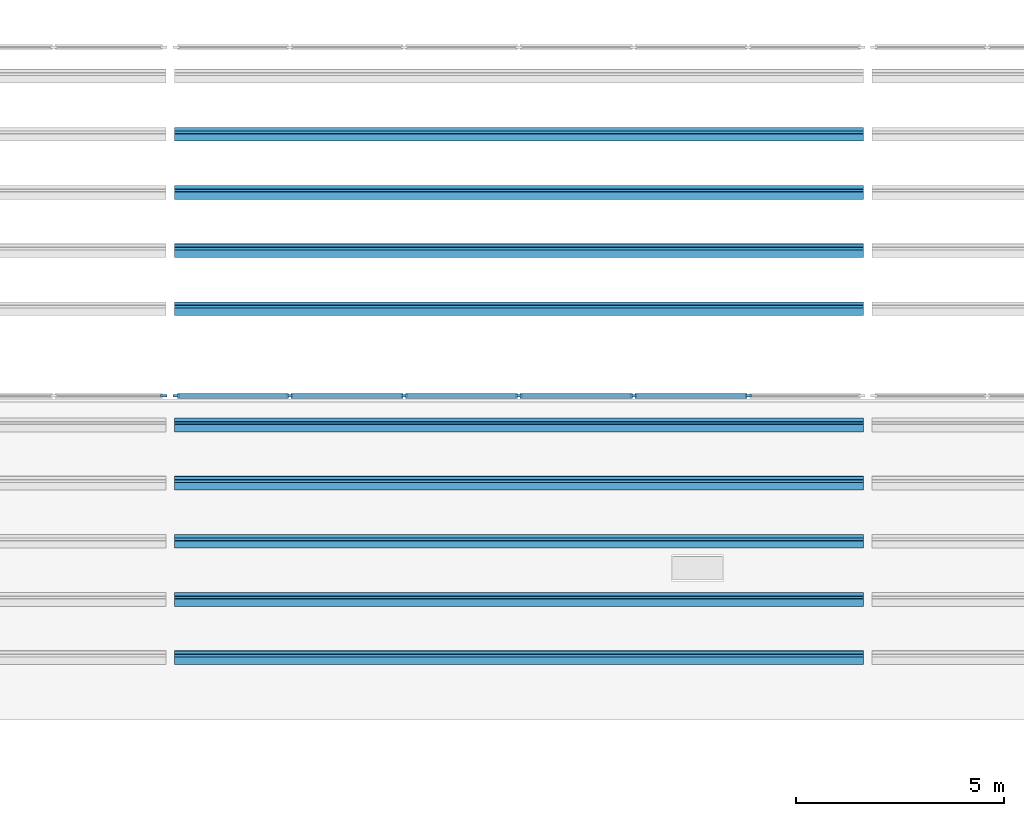
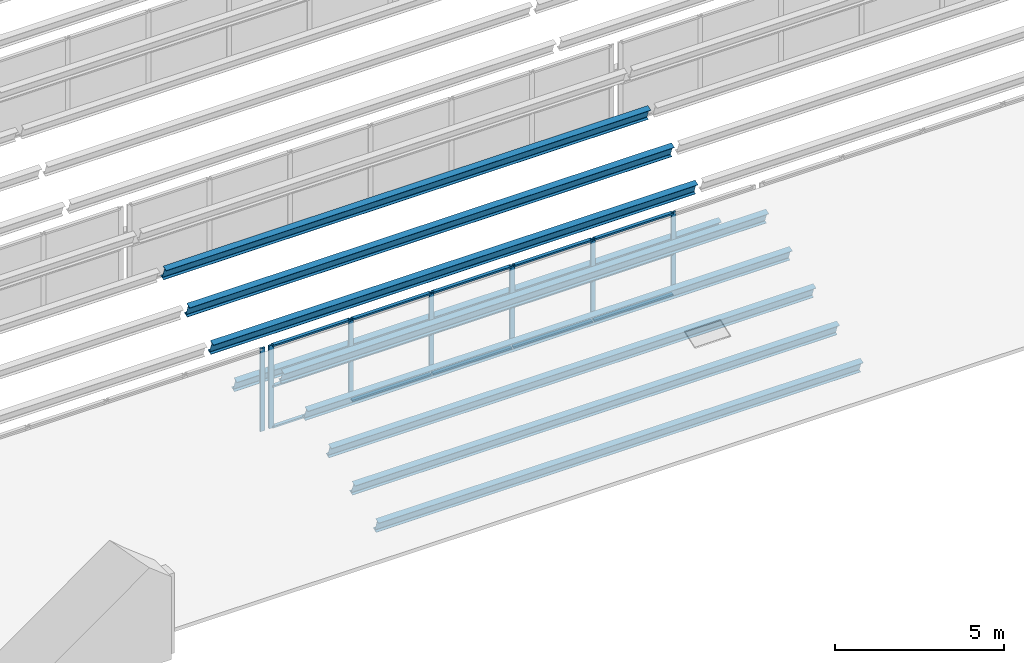
# One storey, part 7 of 116: 31 members, 2 elements without a shape of their own.
"""IFC4 building model written with IfcOpenShell, lengths in metres."""

from ifc_helpers import new_model, si_unit, direction, frame, origin, origin_2d, place, context, subcontext, project, spatial, rectangle, i_section, extrude, material, material_profile, profile_set, type_object, element, aggregate, save


model = new_model("IFC4")

# Units and contexts
model_context = context("Model", 3, precision=1e-05, world=origin(), true_north=direction((0.0, 1.0)))
body_context = subcontext(model_context, "Body", "Model", "MODEL_VIEW")
ifc_project = project(units=[si_unit("LENGTHUNIT", "METRE"), si_unit("AREAUNIT", "SQUARE_METRE"), si_unit("VOLUMEUNIT", "CUBIC_METRE"), si_unit("PLANEANGLEUNIT", "RADIAN"), si_unit("MASSUNIT", "GRAM", prefix="KILO")], contexts=[model_context])

# Site, building, storey
site_placement = place(None, origin())
site = spatial("IfcSite", under=ifc_project, at=site_placement, CompositionType="ELEMENT")
building_placement = place(site_placement, origin())
building = spatial("IfcBuilding", under=site, at=building_placement, Name="Fescue Hill Polytechnic", CompositionType="ELEMENT")
storey_placement = place(building_placement, frame((0.0, 0.0, 13.5)))
storey = spatial("IfcBuildingStorey", under=building, at=storey_placement, Name="L03", CompositionType="ELEMENT", Elevation=13.5)

# Curtain wall, member
ifc_material_1 = material(Name="Aluminium and glass", Category="aluminium")
curtain_wall_type = type_object("IfcCurtainWallType", Name="Sawtooth north glazing curtain wall", PredefinedType="NOTDEFINED", material=ifc_material_1)
curtain_wall_1_placement = place(storey_placement, origin())
curtain_wall_1 = element("IfcCurtainWall", 1, at=curtain_wall_1_placement, inside=storey, type_object=curtain_wall_type, Name="Sawtooth 1 north glazing bay 1", PredefinedType="NOTDEFINED")
ifc_material_2 = material(Name="Aluminium", Category="aluminium")
ifc_material_profile_1 = material_profile(ifc_material_2, rectangle(XDim=0.06005859375, YDim=0.159912109375, at=origin_2d()), Name="Curtain wall mullion 60x160")
ifc_profile_set_1 = profile_set([ifc_material_profile_1], Name="Aluminium")
member_type_1 = type_object("IfcMemberType", Name="Curtain wall mullion 60x160", PredefinedType="MULLION", material=ifc_profile_set_1)
member_1_placement = place(storey_placement, frame((16.64990234375, 25.199951171875, 0.0), z_axis=(0.0, 0.0, 1.0), x_axis=(0.0, 1.0, 0.0)))
member_1 = element("IfcMember", 2, at=member_1_placement, type_object=member_type_1, Name="CW1 mullion 7", PredefinedType="MULLION", context=body_context, shape_type="SweptSolid", body=[
    extrude(rectangle(XDim=0.06005859375, YDim=0.159912109375, at=origin_2d()), origin(), (0.0, 0.0, 1.0), 3.0),
])
aggregate(curtain_wall_1, [member_1])

# Curtain wall, members
curtain_wall_2_placement = place(storey_placement, origin())
curtain_wall_2 = element("IfcCurtainWall", 3, at=curtain_wall_2_placement, inside=storey, type_object=curtain_wall_type, Name="Sawtooth 1 north glazing bay 2", PredefinedType="NOTDEFINED")
member_2_placement = place(storey_placement, frame((16.949951171875, 25.199951171875, 0.0), z_axis=(0.0, 0.0, 1.0), x_axis=(0.0, 1.0, 0.0)))
member_2 = element("IfcMember", 4, at=member_2_placement, type_object=member_type_1, Name="CW2 mullion 1", PredefinedType="MULLION", context=body_context, shape_type="SweptSolid", body=[
    extrude(rectangle(XDim=0.06005859375, YDim=0.159912109375, at=origin_2d()), origin(), (0.0, 0.0, 1.0), 3.0),
])
member_3_placement = place(storey_placement, frame((19.679931640625, 25.199951171875, 0.0), z_axis=(0.0, 0.0, 1.0), x_axis=(0.0, 1.0, 0.0)))
member_3 = element("IfcMember", 5, at=member_3_placement, type_object=member_type_1, Name="CW2 mullion 2", PredefinedType="MULLION", context=body_context, shape_type="SweptSolid", body=[
    extrude(rectangle(XDim=0.06005859375, YDim=0.159912109375, at=origin_2d()), origin(), (0.0, 0.0, 1.0), 3.0),
])
member_4_placement = place(storey_placement, frame((22.43994140625, 25.199951171875, 0.0), z_axis=(0.0, 0.0, 1.0), x_axis=(0.0, 1.0, 0.0)))
member_4 = element("IfcMember", 6, at=member_4_placement, type_object=member_type_1, Name="CW2 mullion 3", PredefinedType="MULLION", context=body_context, shape_type="SweptSolid", body=[
    extrude(rectangle(XDim=0.06005859375, YDim=0.159912109375, at=origin_2d()), origin(), (0.0, 0.0, 1.0), 3.0),
])
member_5_placement = place(storey_placement, frame((25.199951171875, 25.199951171875, 0.0), z_axis=(0.0, 0.0, 1.0), x_axis=(0.0, 1.0, 0.0)))
member_5 = element("IfcMember", 7, at=member_5_placement, type_object=member_type_1, Name="CW2 mullion 4", PredefinedType="MULLION", context=body_context, shape_type="SweptSolid", body=[
    extrude(rectangle(XDim=0.06005859375, YDim=0.159912109375, at=origin_2d()), origin(), (0.0, 0.0, 1.0), 3.0),
])
member_6_placement = place(storey_placement, frame((27.9599609375, 25.199951171875, 0.0), z_axis=(0.0, 0.0, 1.0), x_axis=(0.0, 1.0, 0.0)))
member_6 = element("IfcMember", 8, at=member_6_placement, type_object=member_type_1, Name="CW2 mullion 5", PredefinedType="MULLION", context=body_context, shape_type="SweptSolid", body=[
    extrude(rectangle(XDim=0.06005859375, YDim=0.159912109375, at=origin_2d()), origin(), (0.0, 0.0, 1.0), 3.0),
])
member_7_placement = place(storey_placement, frame((30.719970703125, 25.199951171875, 0.0), z_axis=(0.0, 0.0, 1.0), x_axis=(0.0, 1.0, 0.0)))
member_7 = element("IfcMember", 9, at=member_7_placement, type_object=member_type_1, Name="CW2 mullion 6", PredefinedType="MULLION", context=body_context, shape_type="SweptSolid", body=[
    extrude(rectangle(XDim=0.06005859375, YDim=0.159912109375, at=origin_2d()), origin(), (0.0, 0.0, 1.0), 3.0),
])
ifc_material_profile_2 = material_profile(ifc_material_2, rectangle(XDim=0.1201171875, YDim=0.06005859375, at=origin_2d()), Name="Curtain wall transom 60x120")
ifc_profile_set_2 = profile_set([ifc_material_profile_2], Name="Aluminium")
member_type_2 = type_object("IfcMemberType", Name="Curtain wall transom 60x120", PredefinedType="USERDEFINED", material=ifc_profile_set_2)
member_8_placement = place(storey_placement, frame((16.97998046875, 25.199951171875, 0.030029296875), z_axis=(1.0, 0.0, 0.0), x_axis=(0.0, 1.0, 0.0)))
member_8 = element("IfcMember", 10, at=member_8_placement, type_object=member_type_2, Name="CW2 transom 1.1", ObjectType="TRANSOM", PredefinedType="USERDEFINED", context=body_context, shape_type="SweptSolid", body=[
    extrude(rectangle(XDim=0.1201171875, YDim=0.06005859375, at=origin_2d()), origin(), (0.0, 0.0, 1.0), 2.669921875),
])
member_9_placement = place(storey_placement, frame((16.97998046875, 25.199951171875, 1.5), z_axis=(1.0, 0.0, 0.0), x_axis=(0.0, 1.0, 0.0)))
member_9 = element("IfcMember", 11, at=member_9_placement, type_object=member_type_2, Name="CW2 transom 1.2", ObjectType="TRANSOM", PredefinedType="USERDEFINED", context=body_context, shape_type="SweptSolid", body=[
    extrude(rectangle(XDim=0.1201171875, YDim=0.06005859375, at=origin_2d()), origin(), (0.0, 0.0, 1.0), 2.669921875),
])
member_10_placement = place(storey_placement, frame((16.97998046875, 25.199951171875, 2.969970703125), z_axis=(1.0, 0.0, 0.0), x_axis=(0.0, 1.0, 0.0)))
member_10 = element("IfcMember", 12, at=member_10_placement, type_object=member_type_2, Name="CW2 transom 1.3", ObjectType="TRANSOM", PredefinedType="USERDEFINED", context=body_context, shape_type="SweptSolid", body=[
    extrude(rectangle(XDim=0.1201171875, YDim=0.06005859375, at=origin_2d()), origin(), (0.0, 0.0, 1.0), 2.669921875),
])
member_11_placement = place(storey_placement, frame((19.7099609375, 25.199951171875, 0.030029296875), z_axis=(1.0, 0.0, 0.0), x_axis=(0.0, 1.0, 0.0)))
member_11 = element("IfcMember", 13, at=member_11_placement, type_object=member_type_2, Name="CW2 transom 2.1", ObjectType="TRANSOM", PredefinedType="USERDEFINED", context=body_context, shape_type="SweptSolid", body=[
    extrude(rectangle(XDim=0.1201171875, YDim=0.06005859375, at=origin_2d()), origin(), (0.0, 0.0, 1.0), 2.699951171875),
])
member_12_placement = place(storey_placement, frame((19.7099609375, 25.199951171875, 1.5), z_axis=(1.0, 0.0, 0.0), x_axis=(0.0, 1.0, 0.0)))
member_12 = element("IfcMember", 14, at=member_12_placement, type_object=member_type_2, Name="CW2 transom 2.2", ObjectType="TRANSOM", PredefinedType="USERDEFINED", context=body_context, shape_type="SweptSolid", body=[
    extrude(rectangle(XDim=0.1201171875, YDim=0.06005859375, at=origin_2d()), origin(), (0.0, 0.0, 1.0), 2.699951171875),
])
member_13_placement = place(storey_placement, frame((19.7099609375, 25.199951171875, 2.969970703125), z_axis=(1.0, 0.0, 0.0), x_axis=(0.0, 1.0, 0.0)))
member_13 = element("IfcMember", 15, at=member_13_placement, type_object=member_type_2, Name="CW2 transom 2.3", ObjectType="TRANSOM", PredefinedType="USERDEFINED", context=body_context, shape_type="SweptSolid", body=[
    extrude(rectangle(XDim=0.1201171875, YDim=0.06005859375, at=origin_2d()), origin(), (0.0, 0.0, 1.0), 2.699951171875),
])
member_14_placement = place(storey_placement, frame((22.469970703125, 25.199951171875, 0.030029296875), z_axis=(1.0, 0.0, 0.0), x_axis=(0.0, 1.0, 0.0)))
member_14 = element("IfcMember", 16, at=member_14_placement, type_object=member_type_2, Name="CW2 transom 3.1", ObjectType="TRANSOM", PredefinedType="USERDEFINED", context=body_context, shape_type="SweptSolid", body=[
    extrude(rectangle(XDim=0.1201171875, YDim=0.06005859375, at=origin_2d()), origin(), (0.0, 0.0, 1.0), 2.699951171875),
])
member_15_placement = place(storey_placement, frame((22.469970703125, 25.199951171875, 1.5), z_axis=(1.0, 0.0, 0.0), x_axis=(0.0, 1.0, 0.0)))
member_15 = element("IfcMember", 17, at=member_15_placement, type_object=member_type_2, Name="CW2 transom 3.2", ObjectType="TRANSOM", PredefinedType="USERDEFINED", context=body_context, shape_type="SweptSolid", body=[
    extrude(rectangle(XDim=0.1201171875, YDim=0.06005859375, at=origin_2d()), origin(), (0.0, 0.0, 1.0), 2.699951171875),
])
member_16_placement = place(storey_placement, frame((22.469970703125, 25.199951171875, 2.969970703125), z_axis=(1.0, 0.0, 0.0), x_axis=(0.0, 1.0, 0.0)))
member_16 = element("IfcMember", 18, at=member_16_placement, type_object=member_type_2, Name="CW2 transom 3.3", ObjectType="TRANSOM", PredefinedType="USERDEFINED", context=body_context, shape_type="SweptSolid", body=[
    extrude(rectangle(XDim=0.1201171875, YDim=0.06005859375, at=origin_2d()), origin(), (0.0, 0.0, 1.0), 2.699951171875),
])
member_17_placement = place(storey_placement, frame((25.22998046875, 25.199951171875, 0.030029296875), z_axis=(1.0, 0.0, 0.0), x_axis=(0.0, 1.0, 0.0)))
member_17 = element("IfcMember", 19, at=member_17_placement, type_object=member_type_2, Name="CW2 transom 4.1", ObjectType="TRANSOM", PredefinedType="USERDEFINED", context=body_context, shape_type="SweptSolid", body=[
    extrude(rectangle(XDim=0.1201171875, YDim=0.06005859375, at=origin_2d()), origin(), (0.0, 0.0, 1.0), 2.699951171875),
])
member_18_placement = place(storey_placement, frame((25.22998046875, 25.199951171875, 1.5), z_axis=(1.0, 0.0, 0.0), x_axis=(0.0, 1.0, 0.0)))
member_18 = element("IfcMember", 20, at=member_18_placement, type_object=member_type_2, Name="CW2 transom 4.2", ObjectType="TRANSOM", PredefinedType="USERDEFINED", context=body_context, shape_type="SweptSolid", body=[
    extrude(rectangle(XDim=0.1201171875, YDim=0.06005859375, at=origin_2d()), origin(), (0.0, 0.0, 1.0), 2.699951171875),
])
member_19_placement = place(storey_placement, frame((25.22998046875, 25.199951171875, 2.969970703125), z_axis=(1.0, 0.0, 0.0), x_axis=(0.0, 1.0, 0.0)))
member_19 = element("IfcMember", 21, at=member_19_placement, type_object=member_type_2, Name="CW2 transom 4.3", ObjectType="TRANSOM", PredefinedType="USERDEFINED", context=body_context, shape_type="SweptSolid", body=[
    extrude(rectangle(XDim=0.1201171875, YDim=0.06005859375, at=origin_2d()), origin(), (0.0, 0.0, 1.0), 2.699951171875),
])
member_20_placement = place(storey_placement, frame((27.989990234375, 25.199951171875, 0.030029296875), z_axis=(1.0, 0.0, 0.0), x_axis=(0.0, 1.0, 0.0)))
member_20 = element("IfcMember", 22, at=member_20_placement, type_object=member_type_2, Name="CW2 transom 5.1", ObjectType="TRANSOM", PredefinedType="USERDEFINED", context=body_context, shape_type="SweptSolid", body=[
    extrude(rectangle(XDim=0.1201171875, YDim=0.06005859375, at=origin_2d()), origin(), (0.0, 0.0, 1.0), 2.699951171875),
])
member_21_placement = place(storey_placement, frame((27.989990234375, 25.199951171875, 1.5), z_axis=(1.0, 0.0, 0.0), x_axis=(0.0, 1.0, 0.0)))
member_21 = element("IfcMember", 23, at=member_21_placement, type_object=member_type_2, Name="CW2 transom 5.2", ObjectType="TRANSOM", PredefinedType="USERDEFINED", context=body_context, shape_type="SweptSolid", body=[
    extrude(rectangle(XDim=0.1201171875, YDim=0.06005859375, at=origin_2d()), origin(), (0.0, 0.0, 1.0), 2.699951171875),
])
member_22_placement = place(storey_placement, frame((27.989990234375, 25.199951171875, 2.969970703125), z_axis=(1.0, 0.0, 0.0), x_axis=(0.0, 1.0, 0.0)))
member_22 = element("IfcMember", 24, at=member_22_placement, type_object=member_type_2, Name="CW2 transom 5.3", ObjectType="TRANSOM", PredefinedType="USERDEFINED", context=body_context, shape_type="SweptSolid", body=[
    extrude(rectangle(XDim=0.1201171875, YDim=0.06005859375, at=origin_2d()), origin(), (0.0, 0.0, 1.0), 2.699951171875),
])
aggregate(curtain_wall_2, [member_2, member_3, member_4, member_5, member_6, member_7, member_8, member_9, member_10, member_11, member_12, member_13, member_14, member_15, member_16, member_17, member_18, member_19, member_20, member_21, member_22])

# Members
ifc_material_3 = material(Name="Steel 350W (350 MPa)", Category="steel")
ifc_material_profile_3 = material_profile(ifc_material_3, i_section(OverallWidth=0.18994140625, OverallDepth=0.45703125, WebThickness=0.009033203125, FlangeThickness=0.014404296875, FilletRadius=0.0166015625, at=origin_2d()), Name="W460x74")
ifc_profile_set_3 = profile_set([ifc_material_profile_3], Name="Steel 350W (350 MPa)")
member_type_3 = type_object("IfcMemberType", Name="Tooth purlin W460x74", PredefinedType="PURLIN", material=ifc_profile_set_3)
for number, where, z_axis, x_axis, name in (
    (25, (16.904541015625, 18.89990234375, 0.294921875), (1.0, 0.0, 0.0), (0.0, 0.941741911595, 0.336336396997), "Tooth 1 purlin 2 bay 2"),
    (26, (16.904541015625, 20.300048828125, 0.794921875), (1.0, 0.0, 0.0), (0.0, 0.941741911595, 0.336336396997), "Tooth 1 purlin 3 bay 2"),
    (27, (16.904541015625, 21.699951171875, 1.294921875), (1.0, 0.0, 0.0), (0.0, 0.941741911595, 0.336336396997), "Tooth 1 purlin 4 bay 2"),
    (28, (16.904541015625, 23.10009765625, 1.794921875), (1.0, 0.0, 0.0), (0.0, 0.941741911595, 0.336336396997), "Tooth 1 purlin 5 bay 2"),
    (29, (16.904541015625, 27.300048828125, 0.294921875), (1.0, 0.0, 0.0), (0.0, 0.941741911595, 0.336336396997), "Tooth 2 purlin 2 bay 2"),
    (30, (16.904541015625, 28.699951171875, 0.794921875), (1.0, 0.0, 0.0), (0.0, 0.941741911595, 0.336336396997), "Tooth 2 purlin 3 bay 2"),
    (31, (16.904541015625, 30.10009765625, 1.294921875), (1.0, 0.0, 0.0), (0.0, 0.941741911595, 0.336336396997), "Tooth 2 purlin 4 bay 2"),
    (32, (16.904541015625, 31.5, 1.794921875), (1.0, 0.0, 0.0), (0.0, 0.941741911595, 0.336336396997), "Tooth 2 purlin 5 bay 2"),
):
    element("IfcMember", number, at=place(storey_placement, frame(where, z_axis=z_axis, x_axis=x_axis)), inside=storey, type_object=member_type_3, Name=name, PredefinedType="PURLIN", context=body_context, shape_type="SweptSolid", body=[
        extrude(i_section(OverallWidth=0.18994140625, OverallDepth=0.45703125, WebThickness=0.009033203125, FlangeThickness=0.014404296875, FilletRadius=0.0166015625, at=origin_2d()), origin(), (0.0, 0.0, 1.0), 16.591064453125),
    ])
ifc_material_profile_4 = material_profile(ifc_material_3, i_section(OverallWidth=0.193115234375, OverallDepth=0.466064453125, WebThickness=0.011474609375, FlangeThickness=0.01904296875, FilletRadius=0.01708984375, at=origin_2d()), Name="W460x97")
ifc_profile_set_4 = profile_set([ifc_material_profile_4], Name="Steel 350W (350 MPa)")
member_type_4 = type_object("IfcMemberType", Name="Tooth ridge purlin W460x97", PredefinedType="PURLIN", material=ifc_profile_set_4)
member_23_placement = place(storey_placement, frame((16.904541015625, 24.5, 2.290283203125), z_axis=(1.0, 0.0, 0.0), x_axis=(0.0, 0.941741911595, 0.336336396997)))
element("IfcMember", 33, at=member_23_placement, inside=storey, type_object=member_type_4, Name="Tooth 1 ridge purlin bay 2", PredefinedType="PURLIN", context=body_context, shape_type="SweptSolid", body=[
    extrude(i_section(OverallWidth=0.193115234375, OverallDepth=0.466064453125, WebThickness=0.011474609375, FlangeThickness=0.01904296875, FilletRadius=0.01708984375, at=origin_2d()), origin(), (0.0, 0.0, 1.0), 16.591064453125),
])

save(model, "model.ifc")
